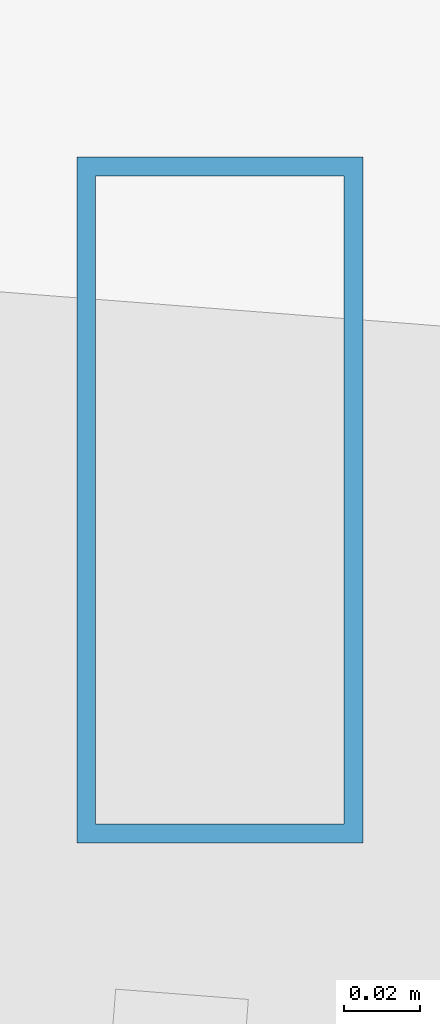
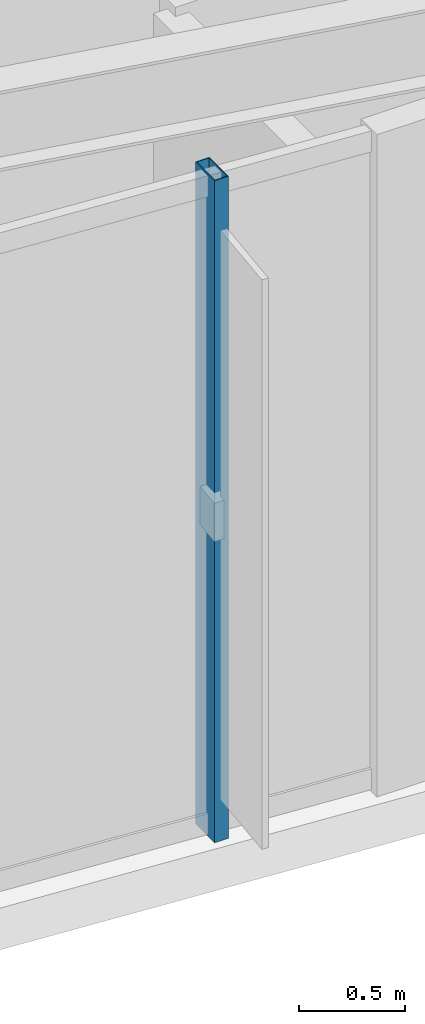
# One storey, part 2 of 30: 1 member, 1 element without a shape of its own.
"""IFC4 building model written with IfcOpenShell, lengths in metres."""

from ifc_helpers import new_model, si_unit, direction, frame, origin, origin_2d, place, context, subcontext, project, spatial, hollow_rectangle, extrude, material, layer, layer_set, material_profile, profile_set, type_object, element, aggregate, save


model = new_model("IFC4")

# Units and contexts
model_context = context("Model", 3, precision=1e-05, world=origin(), true_north=direction((0.0, 1.0)))
body_context = subcontext(model_context, "Body", "Model", "MODEL_VIEW")
ifc_project = project(units=[si_unit("LENGTHUNIT", "METRE"), si_unit("AREAUNIT", "SQUARE_METRE"), si_unit("VOLUMEUNIT", "CUBIC_METRE"), si_unit("PLANEANGLEUNIT", "RADIAN"), si_unit("MASSUNIT", "GRAM", prefix="KILO")], contexts=[model_context])

# Site, building, storey
site_placement = place(None, origin())
site = spatial("IfcSite", under=ifc_project, at=site_placement, CompositionType="ELEMENT")
building_placement = place(site_placement, origin())
building = spatial("IfcBuilding", under=site, at=building_placement, Name="Veymaron Broadcast Tower", CompositionType="ELEMENT")
storey_placement = place(building_placement, frame((0.0, 0.0, 54.0)))
storey = spatial("IfcBuildingStorey", under=building, at=storey_placement, Name="L11", CompositionType="ELEMENT", Elevation=54.0)

# Curtain wall, member
ifc_material_1 = material(Name="Anodised aluminium AA 6063-T6 and laminated low-E dark glass", Category="aluminium")
ifc_layer = layer(ifc_material_1, 0.179931640625)
ifc_layer_set = layer_set([ifc_layer], Name="Anodised aluminium AA 6063-T6 and laminated low-E dark glass")
curtain_wall_type = type_object("IfcCurtainWallType", Name="CW-SYS-02", PredefinedType="NOTDEFINED", material=ifc_layer_set)
curtain_wall_placement = place(storey_placement, origin())
curtain_wall = element("IfcCurtainWall", 1, at=curtain_wall_placement, inside=storey, type_object=curtain_wall_type, Name="L11 dark-glass curtain wall CW-L11-E14-1", PredefinedType="NOTDEFINED")
ifc_material_2 = material(Name="Anodised aluminium AA 6063-T6", Category="aluminium")
ifc_material_profile = material_profile(ifc_material_2, hollow_rectangle(XDim=0.074951171875, YDim=0.179931640625, WallThickness=0.0048828125, at=origin_2d()), Name="AL180X75X5")
ifc_profile_set = profile_set([ifc_material_profile], Name="Anodised aluminium AA 6063-T6")
member_type = type_object("IfcMemberType", Name="CW-MUL-02", PredefinedType="MULLION", material=ifc_profile_set)
member_placement = place(storey_placement, frame((13.186767578125, 18.62109375, 0.0), z_axis=(0.0, 0.0, 1.0), x_axis=(1.0, 0.0, 0.0)))
member = element("IfcMember", 2, at=member_placement, type_object=member_type, Name="CW-L11-E14-1 mullion 1", PredefinedType="MULLION", context=body_context, shape_type="SweptSolid", body=[
    extrude(hollow_rectangle(XDim=0.074951171875, YDim=0.179931640625, WallThickness=0.0048828125, at=origin_2d()), origin(), (0.0, 0.0, 1.0), 3.81005859375),
])
aggregate(curtain_wall, [member])

save(model, "model.ifc")
